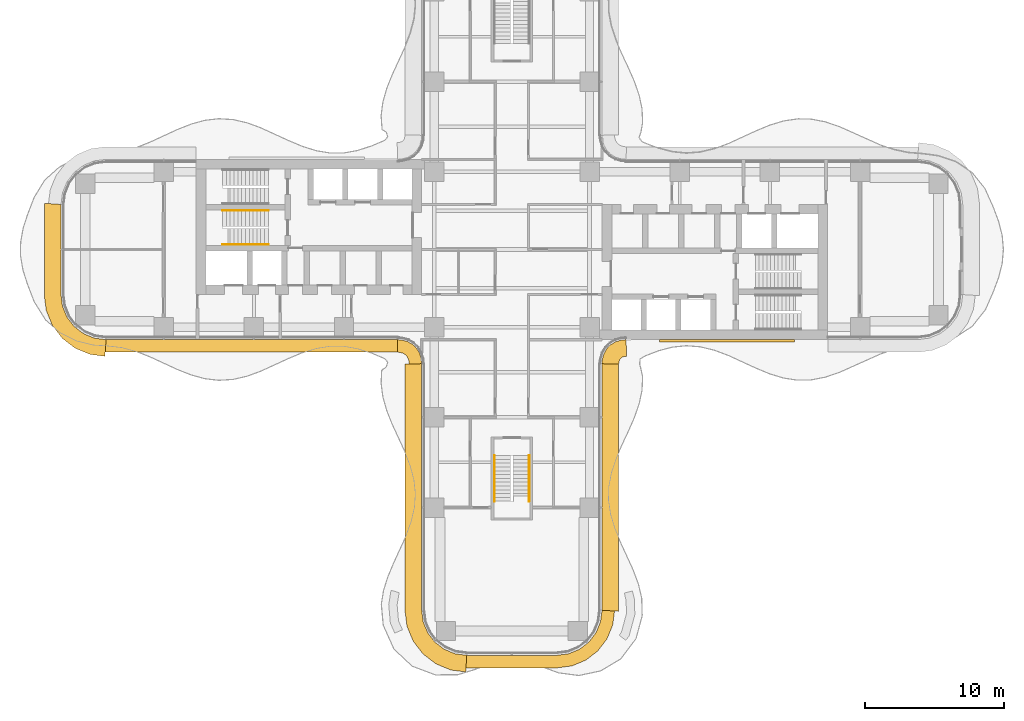
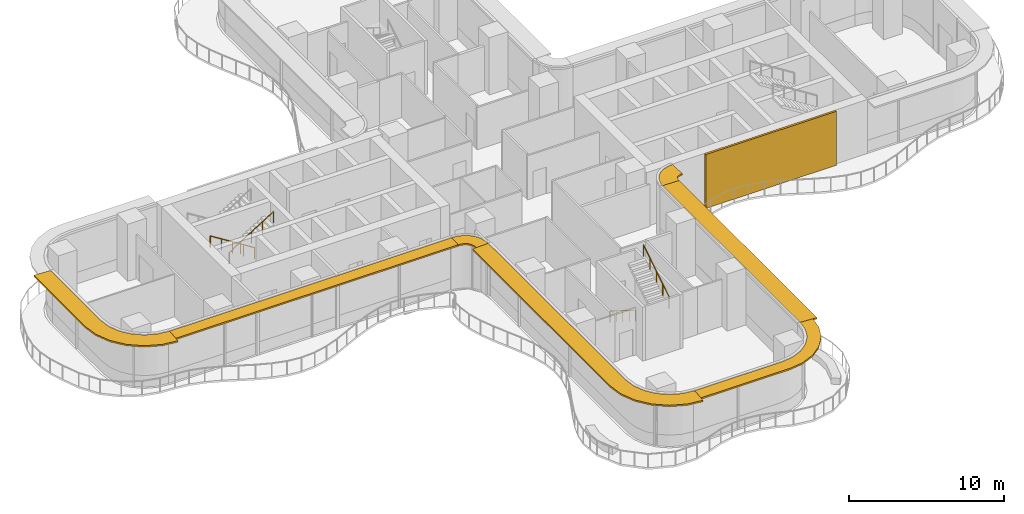
# One storey, part 21 of 22: 7 shading devices, 4 railings, 1 covering.
"""IFC4 building model written with IfcOpenShell, lengths in metres."""

import ifcopenshell
import ifcopenshell.guid

model = None  # the IFC model being written
_history = None  # IfcOwnerHistory: only IFC2X3 demands one
_inside = {}  # id of a spatial element -> (the spatial element, [elements in it])
_under = {}  # id of a project, library or spatial element -> (it, [spatial elements below it])
_declared = {}  # id of a project -> (the project, [libraries it declares])
_typed = {}  # id of a type object -> (the type object, [elements of that type])
_made_of = {}  # id of a material, layer set ... -> (it, [elements and type objects made of it])


def new_model(schema):
    """Start an empty IFC model of exactly this schema.

    Asked for "IFC4X3", IfcOpenShell would pick the latest addendum, in which some entities
    have other attributes; the version numbers below select the first issue.
    IFC2X3 requires an IfcOwnerHistory on every rooted entity: one is made here for all.
    """
    global model, _history
    if schema == "IFC4X3":
        model = ifcopenshell.file(schema_version=(4, 3, 0, 0))
    else:
        model = ifcopenshell.file(schema=schema)
    _inside.clear()
    _under.clear()
    _declared.clear()
    _typed.clear()
    _made_of.clear()
    _history = None
    if model.schema == "IFC2X3":
        org = make("IfcOrganization", Name="unknown")
        user = make(
            "IfcPersonAndOrganization",
            ThePerson=make("IfcPerson", FamilyName="unknown"),
            TheOrganization=org,
        )
        app = make(
            "IfcApplication",
            ApplicationDeveloper=org,
            Version="unknown",
            ApplicationFullName="unknown",
            ApplicationIdentifier="unknown",
        )
        _history = make(
            "IfcOwnerHistory",
            OwningUser=user,
            OwningApplication=app,
            ChangeAction="ADDED",
            CreationDate=0,
        )
    return model


def make(cls, **values):
    """One entity of the class cls with the attributes given. An attribute that is None is left unset."""
    return model.create_entity(
        cls, **{name: value for name, value in values.items() if value is not None}
    )


def rooted(cls, **values):
    """An entity with a GlobalId (a new one), such as an element, a storey or a relation."""
    return make(cls, GlobalId=ifcopenshell.guid.new(), OwnerHistory=_history, **values)


def si_unit(unit_type, name, prefix=None):
    """IfcSIUnit, for example si_unit("LENGTHUNIT", "METRE", prefix="MILLI")."""
    return make("IfcSIUnit", UnitType=unit_type, Prefix=prefix, Name=name)


def assignment(units):
    """IfcUnitAssignment: the units of a project."""
    return None if units is None else make("IfcUnitAssignment", Units=units)


def point(xyz):
    """IfcCartesianPoint."""
    return None if xyz is None else make("IfcCartesianPoint", Coordinates=xyz)


def direction(xyz):
    """IfcDirection."""
    return None if xyz is None else make("IfcDirection", DirectionRatios=xyz)


def frame(location, z_axis=None, x_axis=None):
    """IfcAxis2Placement3D, a coordinate frame: its origin and axes. An axis left out is left unset."""
    return make(
        "IfcAxis2Placement3D",
        Location=point(location),
        Axis=direction(z_axis),
        RefDirection=direction(x_axis),
    )


def frame_2d(location, x_axis=None):
    """IfcAxis2Placement2D, a coordinate frame in the plane: its origin and x axis."""
    return make(
        "IfcAxis2Placement2D", Location=point(location), RefDirection=direction(x_axis)
    )


def origin():
    """The frame at (0, 0, 0) with its axes left unset."""
    return frame((0.0, 0.0, 0.0))


def origin_2d():
    """The frame at (0, 0) in the plane with its x axis left unset."""
    return frame_2d((0.0, 0.0))


def place(relative_to, where):
    """IfcLocalPlacement: puts the frame where relative to a parent placement (None: the world)."""
    return make(
        "IfcLocalPlacement", PlacementRelTo=relative_to, RelativePlacement=where
    )


def context(
    kind, dimensions, precision=None, world=None, true_north=None, identifier=None
):
    """IfcGeometricRepresentationContext, for example the 3D "Model" context."""
    return make(
        "IfcGeometricRepresentationContext",
        ContextIdentifier=identifier,
        ContextType=kind,
        CoordinateSpaceDimension=dimensions,
        Precision=precision,
        WorldCoordinateSystem=world,
        TrueNorth=true_north,
    )


def subcontext(parent, identifier, kind, view, scale=None):
    """IfcGeometricRepresentationSubContext, for example "Body" below "Model"."""
    return make(
        "IfcGeometricRepresentationSubContext",
        ContextIdentifier=identifier,
        ContextType=kind,
        ParentContext=parent,
        TargetScale=scale,
        TargetView=view,
    )


def project(units=None, contexts=None):
    """IfcProject with its units and contexts."""
    return rooted(
        "IfcProject",
        Name="project",
        RepresentationContexts=contexts,
        UnitsInContext=assignment(units),
    )


def spatial(cls, under=None, at=None, **own):
    """A site, building, storey or space (cls), placed at a placement, below another one or the project."""
    s = rooted(cls, ObjectPlacement=at, **own)
    if under is not None:
        _under.setdefault(under.id(), (under, []))[1].append(s)
    return s


def polyline(points):
    """IfcPolyline through the points."""
    return make("IfcPolyline", Points=[point(p) for p in points])


def profile(cls, at=None, kind="AREA", **sizes):
    """A parametric profile (cls). Its sizes go by their IFC names, for example OverallWidth=200.0."""
    return make(cls, ProfileType=kind, Position=at, **sizes)


def circle(**sizes):
    """IfcCircleProfileDef."""
    return profile("IfcCircleProfileDef", **sizes)


def outline(outer, holes=None, kind="AREA"):
    """IfcArbitraryClosedProfileDef: a profile drawn as a closed curve; with holes, ...WithVoids."""
    if holes is None:
        return make("IfcArbitraryClosedProfileDef", ProfileType=kind, OuterCurve=outer)
    return make(
        "IfcArbitraryProfileDefWithVoids",
        ProfileType=kind,
        OuterCurve=outer,
        InnerCurves=holes,
    )


def extrude(swept, where, along, depth):
    """IfcExtrudedAreaSolid: the profile swept, set in the frame where, extruded along a direction by depth."""
    return make(
        "IfcExtrudedAreaSolid",
        SweptArea=swept,
        Position=where,
        ExtrudedDirection=direction(along),
        Depth=depth,
    )


def shape(context_of_items, identifier, shape_type, items):
    """IfcShapeRepresentation: the items that make up one representation, for example the "Body"."""
    return make(
        "IfcShapeRepresentation",
        ContextOfItems=context_of_items,
        RepresentationIdentifier=identifier,
        RepresentationType=shape_type,
        Items=items,
    )


def source(mapping_origin, context_of_items, identifier, shape_type, items):
    """IfcRepresentationMap: a shape defined once, which mapped items show again and again."""
    return make(
        "IfcRepresentationMap",
        MappingOrigin=mapping_origin,
        MappedRepresentation=shape(context_of_items, identifier, shape_type, items),
    )


def transform(
    local_origin,
    x_axis=None,
    y_axis=None,
    z_axis=None,
    scale=None,
    scale2=None,
    scale3=None,
    uniform=True,
):
    """IfcCartesianTransformationOperator3D, or its non-uniform kind. x_axis, y_axis, z_axis: its Axis1, 2, 3."""
    if uniform:
        return make(
            "IfcCartesianTransformationOperator3D",
            Axis1=direction(x_axis),
            Axis2=direction(y_axis),
            LocalOrigin=point(local_origin),
            Scale=scale,
            Axis3=direction(z_axis),
        )
    return make(
        "IfcCartesianTransformationOperator3DnonUniform",
        Axis1=direction(x_axis),
        Axis2=direction(y_axis),
        LocalOrigin=point(local_origin),
        Scale=scale,
        Axis3=direction(z_axis),
        Scale2=scale2,
        Scale3=scale3,
    )


def mapped(mapping_source, mapping_target):
    """IfcMappedItem: shows the shape of a source again, moved by a transform."""
    return make(
        "IfcMappedItem", MappingSource=mapping_source, MappingTarget=mapping_target
    )


def material(Name=None, Category=None):
    """IfcMaterial."""
    return make("IfcMaterial", Name=Name, Category=Category)


def layer(
    of_material, thickness, ventilated=None, Name=None, Category=None, Priority=None
):
    """IfcMaterialLayer: one layer of a wall or slab, of a material (None: an air gap)."""
    return make(
        "IfcMaterialLayer",
        Material=of_material,
        LayerThickness=thickness,
        IsVentilated=ventilated,
        Name=Name,
        Category=Category,
        Priority=Priority,
    )


def layer_set(layers, Name=None):
    """IfcMaterialLayerSet."""
    return make("IfcMaterialLayerSet", MaterialLayers=layers, LayerSetName=Name)


def made_of(thing, what):
    """Note that an element or type object is made of a material, layer set ...; save() writes the relation."""
    if what is not None:
        _made_of.setdefault(what.id(), (what, []))[1].append(thing)
    return thing


def type_object(cls, material=None, **own):
    """A type object (cls), such as IfcWallType, which elements share."""
    return made_of(rooted(cls, **own), material)


def element(
    cls,
    number,
    at=None,
    inside=None,
    cuts=None,
    type_object=None,
    material=None,
    context=None,
    identifier="Body",
    shape_type=None,
    held_by="IfcProductDefinitionShape",
    body=None,
    shapes=None,
    **own,
):
    """One element of the class cls, such as IfcWall. Its Tag is "e" and its number.

    at: its placement. inside: the storey or other place that contains it. cuts: it is an
    opening in that element (IfcRelVoidsElement). A single representation is given by context,
    identifier, shape_type and body (its items); several are given by shapes. held_by: the class
    of the entity that holds the representations. save() writes the other relations.
    """
    e = rooted(cls, Tag="e%d" % number, ObjectPlacement=at, **own)
    if body is not None:
        shapes = [shape(context, identifier, shape_type, body)]
    if shapes is not None:
        e.Representation = make(held_by, Representations=shapes)
    if inside is not None:
        _inside.setdefault(inside.id(), (inside, []))[1].append(e)
    if cuts is not None:
        rooted(
            "IfcRelVoidsElement", RelatingBuildingElement=cuts, RelatedOpeningElement=e
        )
    if type_object is not None:
        _typed.setdefault(type_object.id(), (type_object, []))[1].append(e)
    return made_of(e, material)


def aggregate(whole, parts):
    """IfcRelAggregates: a whole, such as a stair, and the parts it consists of."""
    return rooted("IfcRelAggregates", RelatingObject=whole, RelatedObjects=parts)


def save(model, path):
    """Write the relations noted so far, then the file.

    IfcRelAggregates (storeys below a building ...), IfcRelContainedInSpatialStructure (elements
    in a storey), IfcRelDefinesByType, IfcRelAssociatesMaterial and IfcRelDeclares: one each for
    every whole, place, type object, material and project.
    """
    for whole, parts in _under.values():
        aggregate(whole, parts)
    for where, things in _inside.values():
        rooted(
            "IfcRelContainedInSpatialStructure",
            RelatedElements=things,
            RelatingStructure=where,
        )
    for kind, things in _typed.values():
        rooted("IfcRelDefinesByType", RelatedObjects=things, RelatingType=kind)
    for what, things in _made_of.values():
        rooted("IfcRelAssociatesMaterial", RelatedObjects=things, RelatingMaterial=what)
    for by, libraries in _declared.values():
        rooted("IfcRelDeclares", RelatingContext=by, RelatedDefinitions=libraries)
    model.write(path)


model = new_model("IFC4")

# Units and contexts
model_context = context("Model", 3, precision=1e-05, world=origin(), true_north=direction((0.0, 1.0)))
body_context = subcontext(model_context, "Body", "Model", "MODEL_VIEW")
ifc_project = project(units=[si_unit("LENGTHUNIT", "METRE"), si_unit("AREAUNIT", "SQUARE_METRE"), si_unit("VOLUMEUNIT", "CUBIC_METRE"), si_unit("PLANEANGLEUNIT", "RADIAN"), si_unit("MASSUNIT", "GRAM", prefix="KILO")], contexts=[model_context])

# Site, building, storey
site_placement = place(None, origin())
site = spatial("IfcSite", under=ifc_project, at=site_placement, CompositionType="ELEMENT")
building_placement = place(site_placement, origin())
building = spatial("IfcBuilding", under=site, at=building_placement, Name="Trellis Farm Tower", CompositionType="ELEMENT")
storey_placement = place(building_placement, frame((0.0, 0.0, 43.0)))
storey = spatial("IfcBuildingStorey", under=building, at=storey_placement, Name="L08", CompositionType="ELEMENT", Elevation=43.0)

# Railings
ifc_material_1 = material(Name="Stainless steel", Category="steel")
railing_type = type_object("IfcRailingType", Name="STAIR HANDRAIL 900", PredefinedType="HANDRAIL", material=ifc_material_1)
shared_shape_1 = source(origin(), body_context, "Body", "SweptSolid", [
    extrude(circle(Radius=0.02392578125, at=origin_2d()), frame((0.0, 0.0, 0.8759765625), z_axis=(0.0, 0.846319618018, 0.532675421018), x_axis=(-1.0, 0.0, 0.0)), (0.0, 0.0, 1.0), 3.89892578125),
    extrude(circle(Radius=0.02099609375, at=origin_2d()), origin(), (0.0, 0.0, 1.0), 0.851806640625),
    extrude(circle(Radius=0.02099609375, at=origin_2d()), frame((0.0, 0.824951171875, 0.519287109375)), (0.0, 0.0, 1.0), 0.851806640625),
    extrude(circle(Radius=0.02099609375, at=origin_2d()), frame((0.0, 1.64990234375, 1.03857421875)), (0.0, 0.0, 1.0), 0.851806640625),
    extrude(circle(Radius=0.02099609375, at=origin_2d()), frame((0.0, 2.474853515625, 1.5576171875)), (0.0, 0.0, 1.0), 0.851806640625),
    extrude(circle(Radius=0.02099609375, at=origin_2d()), frame((0.0, 3.2998046875, 2.076904296875)), (0.0, 0.0, 1.0), 0.851806640625),
])
railing_1_placement = place(storey_placement, frame((1.25, -18.14990234375, 2.423095703125)))
element("IfcRailing", 1, at=railing_1_placement, inside=storey, type_object=railing_type, Name="Stair handrail", PredefinedType="HANDRAIL", context=body_context, shape_type="MappedRepresentation", body=[
    mapped(shared_shape_1, transform((0.0, 0.0, 0.0))),
])
shared_shape_2 = source(origin(), body_context, "Body", "SweptSolid", [
    extrude(circle(Radius=0.02392578125, at=origin_2d()), frame((0.0, 0.0, 0.8759765625), z_axis=(0.0, -0.846319618018, 0.532675421018), x_axis=(1.0, 0.0, 0.0)), (0.0, 0.0, 1.0), 3.89892578125),
    extrude(circle(Radius=0.02099609375, at=origin_2d()), origin(), (0.0, 0.0, 1.0), 0.851806640625),
    extrude(circle(Radius=0.02099609375, at=origin_2d()), frame((0.0, -0.824951171875, 0.519287109375)), (0.0, 0.0, 1.0), 0.851806640625),
    extrude(circle(Radius=0.02099609375, at=origin_2d()), frame((0.0, -1.64990234375, 1.03857421875)), (0.0, 0.0, 1.0), 0.851806640625),
    extrude(circle(Radius=0.02099609375, at=origin_2d()), frame((0.0, -2.474853515625, 1.5576171875)), (0.0, 0.0, 1.0), 0.851806640625),
    extrude(circle(Radius=0.02099609375, at=origin_2d()), frame((0.0, -3.2998046875, 2.076904296875)), (0.0, 0.0, 1.0), 0.851806640625),
])
railing_2_placement = place(storey_placement, frame((-1.25, -14.85009765625, 0.173095703125)))
element("IfcRailing", 2, at=railing_2_placement, inside=storey, type_object=railing_type, Name="Stair handrail", PredefinedType="HANDRAIL", context=body_context, shape_type="MappedRepresentation", body=[
    mapped(shared_shape_2, transform((0.0, 0.0, 0.0))),
])
shared_shape_3 = source(origin(), body_context, "Body", "SweptSolid", [
    extrude(circle(Radius=0.02392578125, at=origin_2d()), frame((0.0, 0.0, 0.8759765625), z_axis=(0.846337383501, 0.0, 0.532647194011), x_axis=(0.0, 1.0, 0.0)), (0.0, 0.0, 1.0), 3.899169921875),
    extrude(circle(Radius=0.02099609375, at=origin_2d()), origin(), (0.0, 0.0, 1.0), 0.851806640625),
    extrude(circle(Radius=0.02099609375, at=origin_2d()), frame((0.824951171875, 0.0, 0.519287109375)), (0.0, 0.0, 1.0), 0.851806640625),
    extrude(circle(Radius=0.02099609375, at=origin_2d()), frame((1.64990234375, 0.0, 1.03857421875)), (0.0, 0.0, 1.0), 0.851806640625),
    extrude(circle(Radius=0.02099609375, at=origin_2d()), frame((2.47509765625, 0.0, 1.5576171875)), (0.0, 0.0, 1.0), 0.851806640625),
    extrude(circle(Radius=0.02099609375, at=origin_2d()), frame((3.300048828125, 0.0, 2.076904296875)), (0.0, 0.0, 1.0), 0.851806640625),
])
railing_3_placement = place(storey_placement, frame((-20.85009765625, 0.35009765625, 2.423095703125)))
element("IfcRailing", 3, at=railing_3_placement, inside=storey, type_object=railing_type, Name="Stair handrail", PredefinedType="HANDRAIL", context=body_context, shape_type="MappedRepresentation", body=[
    mapped(shared_shape_3, transform((0.0, 0.0, 0.0))),
])
shared_shape_4 = source(origin(), body_context, "Body", "SweptSolid", [
    extrude(circle(Radius=0.02392578125, at=origin_2d()), frame((0.0, 0.0, 0.8759765625), z_axis=(-0.846337383501, 0.0, 0.532647194011), x_axis=(0.0, -1.0, 0.0)), (0.0, 0.0, 1.0), 3.899169921875),
    extrude(circle(Radius=0.02099609375, at=origin_2d()), origin(), (0.0, 0.0, 1.0), 0.851806640625),
    extrude(circle(Radius=0.02099609375, at=origin_2d()), frame((-0.824951171875, 0.0, 0.519287109375)), (0.0, 0.0, 1.0), 0.851806640625),
    extrude(circle(Radius=0.02099609375, at=origin_2d()), frame((-1.64990234375, 0.0, 1.03857421875)), (0.0, 0.0, 1.0), 0.851806640625),
    extrude(circle(Radius=0.02099609375, at=origin_2d()), frame((-2.47509765625, 0.0, 1.5576171875)), (0.0, 0.0, 1.0), 0.851806640625),
    extrude(circle(Radius=0.02099609375, at=origin_2d()), frame((-3.300048828125, 0.0, 2.076904296875)), (0.0, 0.0, 1.0), 0.851806640625),
])
railing_4_placement = place(storey_placement, frame((-17.550048828125, 2.800048828125, 0.173095703125)))
element("IfcRailing", 4, at=railing_4_placement, inside=storey, type_object=railing_type, Name="Stair handrail", PredefinedType="HANDRAIL", context=body_context, shape_type="MappedRepresentation", body=[
    mapped(shared_shape_4, transform((0.0, 0.0, 0.0))),
])

# Shading devices
ifc_material_2 = material(Name="Aluminium extrusion 6063-T6", Category="aluminium")
ifc_layer_1 = layer(ifc_material_2, 0.1201171875)
ifc_layer_set_1 = layer_set([ifc_layer_1], Name="SUNSHADE BLADE 900")
shading_device_type_1 = type_object("IfcShadingDeviceType", Name="SUNSHADE BLADE 900", PredefinedType="USERDEFINED", material=ifc_layer_set_1)
shared_shape_5 = source(origin(), body_context, "Body", "SweptSolid", [
    extrude(outline(polyline([(-29.30908203125, -7.39990234375), (-8.2607421875, -7.39990234375), (-8.2314453125, -6.5), (-29.25, -6.5), (-29.30908203125, -7.39990234375)])), origin(), (0.0, 0.0, 1.0), 0.119873046875),
])
placement = place(storey_placement, frame((0.0, 0.0, 4.090087890625)))
element("IfcShadingDevice", 5, at=placement, inside=storey, type_object=shading_device_type_1, Name="SD1 001", ObjectType="SUNSHADE", PredefinedType="USERDEFINED", context=body_context, shape_type="MappedRepresentation", body=[
    mapped(shared_shape_5, transform((0.0, 0.0, 0.0))),
])
shared_shape_6 = source(origin(), body_context, "Body", "SweptSolid", [
    extrude(outline(polyline([(-8.2607421875, -7.39990234375), (-8.107666015625, -7.409912109375), (-8.091552734375, -7.412109375), (-7.85595703125, -7.475341796875), (-7.697021484375, -7.567138671875), (-7.567138671875, -7.697021484375), (-7.475341796875, -7.85595703125), (-7.412109375, -8.091552734375), (-7.409912109375, -8.107666015625), (-7.39990234375, -8.2607421875), (-6.5, -8.2314453125), (-6.513916015625, -8.01953125), (-6.527587890625, -7.91552734375), (-6.63671875, -7.508544921875), (-6.846923828125, -7.144287109375), (-7.144287109375, -6.846923828125), (-7.508544921875, -6.63671875), (-7.91552734375, -6.527587890625), (-8.01953125, -6.513916015625), (-8.2314453125, -6.5), (-8.2607421875, -7.39990234375)])), origin(), (0.0, 0.0, 1.0), 0.119873046875),
])
element("IfcShadingDevice", 6, at=placement, inside=storey, type_object=shading_device_type_1, Name="SD1 002", ObjectType="SUNSHADE", PredefinedType="USERDEFINED", context=body_context, shape_type="MappedRepresentation", body=[
    mapped(shared_shape_6, transform((0.0, 0.0, 0.0))),
])
ifc_layer_2 = layer(ifc_material_2, 0.1201171875)
ifc_layer_set_2 = layer_set([ifc_layer_2], Name="SUNSHADE BLADE 1200")
shading_device_type_2 = type_object("IfcShadingDeviceType", Name="SUNSHADE BLADE 1200", PredefinedType="USERDEFINED", material=ifc_layer_set_2)
shared_shape_7 = source(origin(), body_context, "Body", "SweptSolid", [
    extrude(outline(polyline([(-7.699951171875, -8.270751953125), (-7.699951171875, -26.07861328125), (-7.558349609375, -27.154541015625), (-7.11279296875, -28.230224609375), (-6.404052734375, -29.154052734375), (-5.480224609375, -29.86279296875), (-4.404541015625, -30.308349609375), (-3.32861328125, -30.449951171875), (-3.25, -29.25), (-4.091064453125, -29.13916015625), (-4.875, -28.814697265625), (-5.548095703125, -28.298095703125), (-6.064697265625, -27.625), (-6.38916015625, -26.841064453125), (-6.5, -26.0), (-6.5, -8.2314453125), (-7.699951171875, -8.270751953125)])), origin(), (0.0, 0.0, 1.0), 0.119873046875),
])
element("IfcShadingDevice", 7, at=placement, inside=storey, type_object=shading_device_type_2, Name="SD2 003", ObjectType="SUNSHADE", PredefinedType="USERDEFINED", context=body_context, shape_type="MappedRepresentation", body=[
    mapped(shared_shape_7, transform((0.0, 0.0, 0.0))),
])
shared_shape_8 = source(origin(), body_context, "Body", "SweptSolid", [
    extrude(outline(polyline([(-3.30908203125, -30.14990234375), (3.30908203125, -30.14990234375), (4.326171875, -30.01611328125), (5.328857421875, -29.600830078125), (6.18994140625, -28.93994140625), (6.850830078125, -28.078857421875), (7.26611328125, -27.076171875), (7.39990234375, -26.05908203125), (6.5, -26.0), (6.38916015625, -26.841064453125), (6.064697265625, -27.625), (5.548095703125, -28.298095703125), (4.875, -28.814697265625), (4.091064453125, -29.13916015625), (3.25, -29.25), (-3.25, -29.25), (-3.30908203125, -30.14990234375)])), origin(), (0.0, 0.0, 1.0), 0.119873046875),
])
element("IfcShadingDevice", 8, at=placement, inside=storey, type_object=shading_device_type_1, Name="SD1 004", ObjectType="SUNSHADE", PredefinedType="USERDEFINED", context=body_context, shape_type="MappedRepresentation", body=[
    mapped(shared_shape_8, transform((0.0, 0.0, 0.0))),
])
shared_shape_9 = source(origin(), body_context, "Body", "SweptSolid", [
    extrude(outline(polyline([(7.699951171875, -26.07861328125), (7.699951171875, -8.270751953125), (6.5, -8.2314453125), (6.5, -26.0), (7.699951171875, -26.07861328125)])), origin(), (0.0, 0.0, 1.0), 0.119873046875),
])
element("IfcShadingDevice", 9, at=placement, inside=storey, type_object=shading_device_type_2, Name="SD2 005", ObjectType="SUNSHADE", PredefinedType="USERDEFINED", context=body_context, shape_type="MappedRepresentation", body=[
    mapped(shared_shape_9, transform((0.0, 0.0, 0.0))),
])
shared_shape_10 = source(origin(), body_context, "Body", "SweptSolid", [
    extrude(outline(polyline([(7.699951171875, -8.270751953125), (7.708740234375, -8.13720703125), (7.70703125, -8.150146484375), (7.7548828125, -7.9716796875), (7.80712890625, -7.881103515625), (7.881103515625, -7.80712890625), (7.9716796875, -7.7548828125), (8.150146484375, -7.70703125), (8.13720703125, -7.708740234375), (8.270751953125, -7.699951171875), (8.2314453125, -6.5), (8.01953125, -6.513916015625), (7.91552734375, -6.527587890625), (7.508544921875, -6.63671875), (7.144287109375, -6.846923828125), (6.846923828125, -7.144287109375), (6.63671875, -7.508544921875), (6.527587890625, -7.91552734375), (6.513916015625, -8.01953125), (6.5, -8.2314453125), (7.699951171875, -8.270751953125)])), origin(), (0.0, 0.0, 1.0), 0.119873046875),
])
element("IfcShadingDevice", 10, at=placement, inside=storey, type_object=shading_device_type_2, Name="SD2 006", ObjectType="SUNSHADE", PredefinedType="USERDEFINED", context=body_context, shape_type="MappedRepresentation", body=[
    mapped(shared_shape_10, transform((0.0, 0.0, 0.0))),
])
shared_shape_11 = source(origin(), body_context, "Body", "SweptSolid", [
    extrude(outline(polyline([(-33.699951171875, 3.32861328125), (-33.699951171875, -3.32861328125), (-33.558349609375, -4.404541015625), (-33.11279296875, -5.480224609375), (-32.404052734375, -6.404052734375), (-31.480224609375, -7.11279296875), (-30.404541015625, -7.558349609375), (-29.32861328125, -7.699951171875), (-29.25, -6.5), (-30.091064453125, -6.38916015625), (-30.875, -6.064697265625), (-31.548095703125, -5.548095703125), (-32.064697265625, -4.875), (-32.38916015625, -4.091064453125), (-32.5, -3.25), (-32.5, 3.25), (-33.699951171875, 3.32861328125)])), origin(), (0.0, 0.0, 1.0), 0.119873046875),
])
element("IfcShadingDevice", 11, at=placement, inside=storey, type_object=shading_device_type_2, Name="SD2 016", ObjectType="SUNSHADE", PredefinedType="USERDEFINED", context=body_context, shape_type="MappedRepresentation", body=[
    mapped(shared_shape_11, transform((0.0, 0.0, 0.0))),
])

# Covering
ifc_material_3 = material(Name="Perforated precast screen (cobogo)", Category="concrete")
ifc_layer_3 = layer(ifc_material_3, 0.14990234375)
ifc_layer_set_3 = layer_set([ifc_layer_3], Name="COBOGO SCREEN PANEL")
covering_type = type_object("IfcCoveringType", Name="COBOGO SCREEN PANEL", PredefinedType="USERDEFINED", material=ifc_layer_set_3)
shared_shape_12 = source(origin(), body_context, "Body", "SweptSolid", [
    extrude(outline(polyline([(10.630615234375, -6.64990234375), (20.380615234375, -6.64990234375), (20.380615234375, -6.5), (10.630615234375, -6.5), (10.630615234375, -6.64990234375)])), origin(), (0.0, 0.0, 1.0), 4.25),
])
covering_placement = place(storey_placement, origin())
element("IfcCovering", 12, at=covering_placement, inside=storey, type_object=covering_type, Name="SC1 01", ObjectType="SCREEN", PredefinedType="USERDEFINED", context=body_context, shape_type="MappedRepresentation", body=[
    mapped(shared_shape_12, transform((0.0, 0.0, 0.0))),
])

save(model, "model.ifc")
